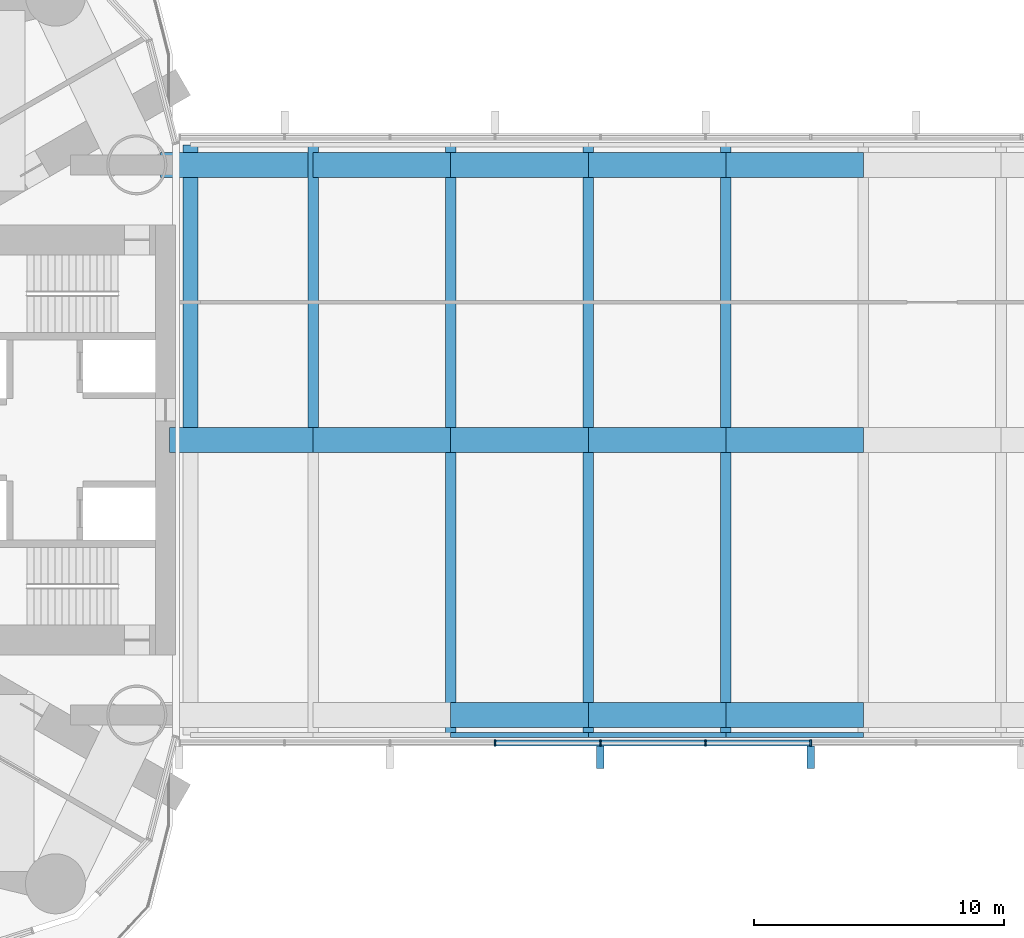
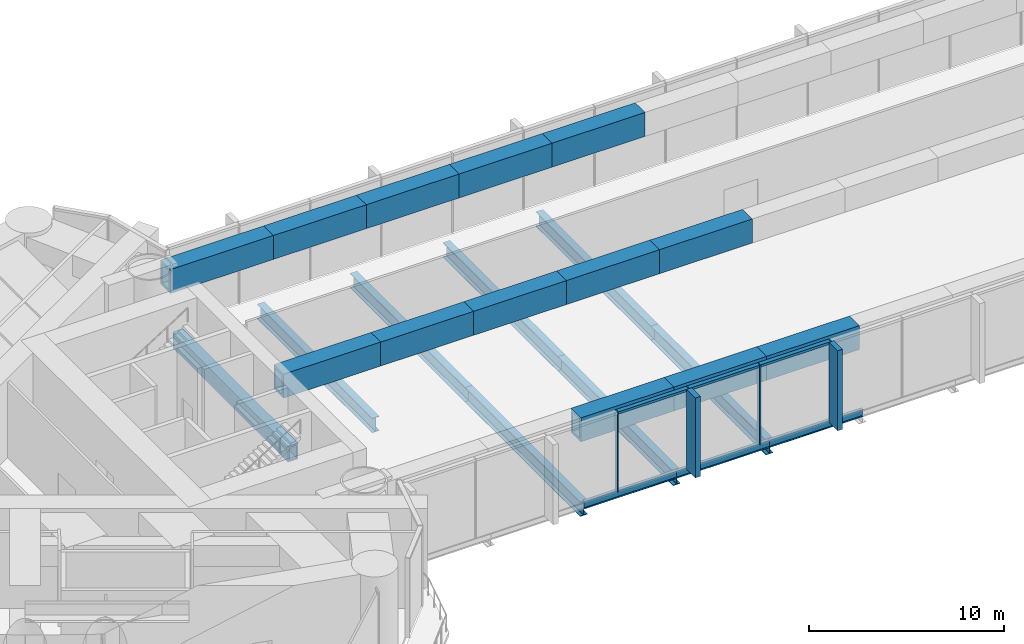
# One storey, part 4 of 22: 22 members, 11 beams, 1 element without a shape of its own.
"""IFC4 building model written with IfcOpenShell, lengths in metres."""

from ifc_helpers import new_model, si_unit, direction, frame, origin, origin_2d, place, context, subcontext, project, spatial, rectangle, hollow_rectangle, i_section, extrude, material, material_profile, profile_set, type_object, element, aggregate, save


model = new_model("IFC4")

# Units and contexts
model_context = context("Model", 3, precision=1e-05, world=origin(), true_north=direction((0.0, 1.0)))
body_context = subcontext(model_context, "Body", "Model", "MODEL_VIEW")
ifc_project = project(units=[si_unit("LENGTHUNIT", "METRE"), si_unit("AREAUNIT", "SQUARE_METRE"), si_unit("VOLUMEUNIT", "CUBIC_METRE"), si_unit("PLANEANGLEUNIT", "RADIAN"), si_unit("MASSUNIT", "GRAM", prefix="KILO")], contexts=[model_context])

# Site, building, storey
site_placement = place(None, origin())
site = spatial("IfcSite", under=ifc_project, at=site_placement, CompositionType="ELEMENT")
building_placement = place(site_placement, origin())
building = spatial("IfcBuilding", under=site, at=building_placement, Name="Lancet Gate Hotel", CompositionType="ELEMENT")
storey_placement = place(building_placement, frame((0.0, 0.0, 210.300048828125)))
storey = spatial("IfcBuildingStorey", under=building, at=storey_placement, Name="L56", CompositionType="ELEMENT", Elevation=210.300048828125)

# Curtain wall, members
ifc_material_1 = material(Name="Aluminium curtain wall", Category="aluminium")
curtain_wall_type = type_object("IfcCurtainWallType", Name="Refuge storey louvred curtain wall", PredefinedType="USERDEFINED", material=ifc_material_1)
curtain_wall_placement = place(storey_placement, origin())
curtain_wall = element("IfcCurtainWall", 1, at=curtain_wall_placement, inside=storey, type_object=curtain_wall_type, Name="Bridge block L56 curtain wall S", ObjectType="LANTERN GLAZING", PredefinedType="USERDEFINED")
ifc_material_2 = material(Name="Aluminium mullion", Category="aluminium")
ifc_material_profile_1 = material_profile(ifc_material_2, rectangle(XDim=0.06494140625, YDim=0.25, at=origin_2d()), Name="MULLION 65x250")
ifc_profile_set_1 = profile_set([ifc_material_profile_1], Name="Aluminium mullion")
member_type_1 = type_object("IfcMemberType", Name="Aluminium mullion 65x250", PredefinedType="MULLION", material=ifc_profile_set_1)
member_1_placement = place(storey_placement, frame((-14.726806640625, -12.1201171875, 0.0), z_axis=(0.0, 0.0, 1.0), x_axis=(1.0, 0.0, 0.0)))
member_1 = element("IfcMember", 2, at=member_1_placement, type_object=member_type_1, Name="Bridge block L56 curtain wall S mullion 4", PredefinedType="MULLION", context=body_context, shape_type="SweptSolid", body=[
    extrude(rectangle(XDim=0.06494140625, YDim=0.25, at=origin_2d()), origin(), (0.0, 0.0, 1.0), 5.0),
])
member_2_placement = place(storey_placement, frame((-10.519287109375, -12.1201171875, 0.0), z_axis=(0.0, 0.0, 1.0), x_axis=(1.0, 0.0, 0.0)))
member_2 = element("IfcMember", 3, at=member_2_placement, type_object=member_type_1, Name="Bridge block L56 curtain wall S mullion 5", PredefinedType="MULLION", context=body_context, shape_type="SweptSolid", body=[
    extrude(rectangle(XDim=0.06494140625, YDim=0.25, at=origin_2d()), origin(), (0.0, 0.0, 1.0), 5.0),
])
member_3_placement = place(storey_placement, frame((-6.3115234375, -12.1201171875, 0.0), z_axis=(0.0, 0.0, 1.0), x_axis=(1.0, 0.0, 0.0)))
member_3 = element("IfcMember", 4, at=member_3_placement, type_object=member_type_1, Name="Bridge block L56 curtain wall S mullion 6", PredefinedType="MULLION", context=body_context, shape_type="SweptSolid", body=[
    extrude(rectangle(XDim=0.06494140625, YDim=0.25, at=origin_2d()), origin(), (0.0, 0.0, 1.0), 5.0),
])
member_4_placement = place(storey_placement, frame((-2.103759765625, -12.1201171875, 0.0), z_axis=(0.0, 0.0, 1.0), x_axis=(1.0, 0.0, 0.0)))
member_4 = element("IfcMember", 5, at=member_4_placement, type_object=member_type_1, Name="Bridge block L56 curtain wall S mullion 7", PredefinedType="MULLION", context=body_context, shape_type="SweptSolid", body=[
    extrude(rectangle(XDim=0.06494140625, YDim=0.25, at=origin_2d()), origin(), (0.0, 0.0, 1.0), 5.0),
])
ifc_material_3 = material(Name="Aluminium transom", Category="aluminium")
ifc_material_profile_2 = material_profile(ifc_material_3, rectangle(XDim=0.25, YDim=0.14990234375, at=origin_2d()), Name="TRANSOM 250x150")
ifc_profile_set_2 = profile_set([ifc_material_profile_2], Name="Aluminium transom")
member_type_2 = type_object("IfcMemberType", Name="Aluminium transom 250x150", PredefinedType="USERDEFINED", material=ifc_profile_set_2)
member_5_placement = place(storey_placement, frame((-14.6943359375, -12.1201171875, 4.925048828125), z_axis=(1.0, 0.0, 0.0), x_axis=(0.0, 1.0, 0.0)))
member_5 = element("IfcMember", 6, at=member_5_placement, type_object=member_type_2, Name="Bridge block L56 curtain wall S transom 4", ObjectType="TRANSOM", PredefinedType="USERDEFINED", context=body_context, shape_type="SweptSolid", body=[
    extrude(rectangle(XDim=0.25, YDim=0.14990234375, at=origin_2d()), origin(), (0.0, 0.0, 1.0), 4.142578125),
])
member_6_placement = place(storey_placement, frame((-10.48681640625, -12.1201171875, 4.925048828125), z_axis=(1.0, 0.0, 0.0), x_axis=(0.0, 1.0, 0.0)))
member_6 = element("IfcMember", 7, at=member_6_placement, type_object=member_type_2, Name="Bridge block L56 curtain wall S transom 5", ObjectType="TRANSOM", PredefinedType="USERDEFINED", context=body_context, shape_type="SweptSolid", body=[
    extrude(rectangle(XDim=0.25, YDim=0.14990234375, at=origin_2d()), origin(), (0.0, 0.0, 1.0), 4.142822265625),
])
member_7_placement = place(storey_placement, frame((-6.279052734375, -12.1201171875, 4.925048828125), z_axis=(1.0, 0.0, 0.0), x_axis=(0.0, 1.0, 0.0)))
member_7 = element("IfcMember", 8, at=member_7_placement, type_object=member_type_2, Name="Bridge block L56 curtain wall S transom 6", ObjectType="TRANSOM", PredefinedType="USERDEFINED", context=body_context, shape_type="SweptSolid", body=[
    extrude(rectangle(XDim=0.25, YDim=0.14990234375, at=origin_2d()), origin(), (0.0, 0.0, 1.0), 4.142822265625),
])

# Beams
ifc_material_4 = material(Name="Steel S355", Category="steel")
ifc_material_profile_3 = material_profile(ifc_material_4, i_section(OverallWidth=0.19140625, OverallDepth=0.4599609375, WebThickness=0.010009765625, FlangeThickness=0.01611328125, FilletRadius=0.01025390625, at=origin_2d()), Name="UKB 457x191x82")
ifc_profile_set_3 = profile_set([ifc_material_profile_3], Name="Steel S355")
beam_type_1 = type_object("IfcBeamType", Name="Block edge beam UKB 457x191x82", PredefinedType="SPANDREL", material=ifc_profile_set_3)
for number, where, z_axis, x_axis, name in (
    (9, (-16.5, -11.800048828125, -0.429931640625), (1.0, 0.0, 0.0), (0.0, 1.0, 0.0), "Block edge beam S 2-3 L56"),
    (10, (-11.0, -11.800048828125, -0.429931640625), (1.0, 0.0, 0.0), (0.0, 1.0, 0.0), "Block edge beam S 3-4 L56"),
    (11, (-5.5, -11.800048828125, -0.429931640625), (1.0, 0.0, 0.0), (0.0, 1.0, 0.0), "Block edge beam S 4-5 L56"),
):
    element("IfcBeam", number, at=place(storey_placement, frame(where, z_axis=z_axis, x_axis=x_axis)), inside=storey, type_object=beam_type_1, Name=name, PredefinedType="SPANDREL", context=body_context, shape_type="SweptSolid", body=[
        extrude(i_section(OverallWidth=0.19140625, OverallDepth=0.4599609375, WebThickness=0.010009765625, FlangeThickness=0.01611328125, FilletRadius=0.01025390625, at=origin_2d()), origin(), (0.0, 0.0, 1.0), 5.5),
    ])
ifc_material_5 = material(Name="Steel S460QL", Category="steel")
ifc_material_profile_4 = material_profile(ifc_material_5, hollow_rectangle(XDim=0.60009765625, YDim=1.0, WallThickness=0.10009765625, at=origin_2d()), Name="BOX 1000x600x100")
ifc_profile_set_4 = profile_set([ifc_material_profile_4], Name="Steel S460QL")
beam_type_2 = type_object("IfcBeamType", Name="Block end beam BOX 1000x600x100", PredefinedType="BEAM", material=ifc_profile_set_4)
beam_placement = place(storey_placement, frame((-26.89990234375, 0.0, -0.699951171875), z_axis=(0.0, 1.0, 0.0), x_axis=(-1.0, 0.0, 0.0)))
element("IfcBeam", 12, at=beam_placement, inside=storey, type_object=beam_type_2, Name="Block beam x0 N L56", PredefinedType="BEAM", context=body_context, shape_type="SweptSolid", body=[
    extrude(hollow_rectangle(XDim=0.60009765625, YDim=1.0, WallThickness=0.10009765625, at=origin_2d()), origin(), (0.0, 0.0, 1.0), 11.800048828125),
])
ifc_material_6 = material(Name="Steel S355", Category="steel")
ifc_material_profile_5 = material_profile(ifc_material_6, i_section(OverallWidth=0.42041015625, OverallDepth=0.9208984375, WebThickness=0.021484375, FlangeThickness=0.03662109375, FilletRadius=0.024169921875, at=origin_2d()), Name="UKB 914x419x388")
ifc_profile_set_5 = profile_set([ifc_material_profile_5], Name="Steel S355")
beam_type_3 = type_object("IfcBeamType", Name="Block plant floor beam UKB 914x419x388", PredefinedType="JOIST", material=ifc_profile_set_5)
for number, where, z_axis, x_axis, name in (
    (13, (-22.0, 0.0, -0.66064453125), (0.0, 1.0, 0.0), (-1.0, 0.0, 0.0), "Block beam x1 N L56"),
    (14, (-16.5, -11.800048828125, -0.66064453125), (0.0, 1.0, 0.0), (-1.0, 0.0, 0.0), "Block beam x2 S L56"),
    (15, (-16.5, 0.0, -0.66064453125), (0.0, 1.0, 0.0), (-1.0, 0.0, 0.0), "Block beam x2 N L56"),
    (16, (-11.0, -11.800048828125, -0.66064453125), (0.0, 1.0, 0.0), (-1.0, 0.0, 0.0), "Block beam x3 S L56"),
    (17, (-11.0, 0.0, -0.66064453125), (0.0, 1.0, 0.0), (-1.0, 0.0, 0.0), "Block beam x3 N L56"),
    (18, (-5.5, -11.800048828125, -0.66064453125), (0.0, 1.0, 0.0), (-1.0, 0.0, 0.0), "Block beam x4 S L56"),
    (19, (-5.5, 0.0, -0.66064453125), (0.0, 1.0, 0.0), (-1.0, 0.0, 0.0), "Block beam x4 N L56"),
):
    element("IfcBeam", number, at=place(storey_placement, frame(where, z_axis=z_axis, x_axis=x_axis)), inside=storey, type_object=beam_type_3, Name=name, PredefinedType="JOIST", context=body_context, shape_type="SweptSolid", body=[
        extrude(i_section(OverallWidth=0.42041015625, OverallDepth=0.9208984375, WebThickness=0.021484375, FlangeThickness=0.03662109375, FilletRadius=0.024169921875, at=origin_2d()), origin(), (0.0, 0.0, 1.0), 11.800048828125),
    ])

# Member
ifc_material_7 = material(Name="Precast concrete C50/60", Category="concrete")
ifc_material_profile_6 = material_profile(ifc_material_7, rectangle(XDim=0.300048828125, YDim=0.89990234375, at=origin_2d()), Name="FIN 300x900")
ifc_profile_set_6 = profile_set([ifc_material_profile_6], Name="Precast concrete C50/60")
member_type_3 = type_object("IfcMemberType", Name="Exposed concrete fin 300x900", PredefinedType="USERDEFINED", material=ifc_profile_set_6)
member_8_placement = place(storey_placement, frame((-10.519287109375, -12.695068359375, 0.0), z_axis=(0.0, 0.0, 1.0), x_axis=(1.0, 0.0, 0.0)))
member_8 = element("IfcMember", 20, at=member_8_placement, type_object=member_type_3, Name="Bridge block L56 curtain wall S fin 5", ObjectType="FIN", PredefinedType="USERDEFINED", context=body_context, shape_type="SweptSolid", body=[
    extrude(rectangle(XDim=0.300048828125, YDim=0.89990234375, at=origin_2d()), origin(), (0.0, 0.0, 1.0), 5.0),
])

member_9_placement = place(storey_placement, frame((-2.103759765625, -12.695068359375, 0.0), z_axis=(0.0, 0.0, 1.0), x_axis=(1.0, 0.0, 0.0)))
member_9 = element("IfcMember", 21, at=member_9_placement, type_object=member_type_3, Name="Bridge block L56 curtain wall S fin 7", ObjectType="FIN", PredefinedType="USERDEFINED", context=body_context, shape_type="SweptSolid", body=[
    extrude(rectangle(XDim=0.300048828125, YDim=0.89990234375, at=origin_2d()), origin(), (0.0, 0.0, 1.0), 5.0),
])

aggregate(curtain_wall, [member_1, member_2, member_8, member_3, member_4, member_9, member_5, member_6, member_7])

# Members
ifc_material_8 = material(Name="Steel S460QL", Category="steel")
ifc_material_profile_7 = material_profile(ifc_material_8, hollow_rectangle(XDim=1.0, YDim=1.5, WallThickness=0.14990234375, at=origin_2d()), Name="BOX 1500x1000x150")
ifc_profile_set_7 = profile_set([ifc_material_profile_7], Name="Steel S460QL")
member_type_4 = type_object("IfcMemberType", Name="Truss chord BOX 1500x1000x150", PredefinedType="CHORD", material=ifc_profile_set_7)
for number, where, z_axis, x_axis, name in (
    (22, (-16.5, -11.0, 4.050048828125), (1.0, 0.0, 0.0), (0.0, 1.0, 0.0), "Truss S top chord panel 3"),
    (23, (-11.0, -11.0, 4.050048828125), (1.0, 0.0, 0.0), (0.0, 1.0, 0.0), "Truss S top chord panel 4"),
    (24, (-5.5, -11.0, 4.050048828125), (1.0, 0.0, 0.0), (0.0, 1.0, 0.0), "Truss S top chord panel 5"),
):
    element("IfcMember", number, at=place(storey_placement, frame(where, z_axis=z_axis, x_axis=x_axis)), inside=storey, type_object=member_type_4, Name=name, PredefinedType="CHORD", context=body_context, shape_type="SweptSolid", body=[
        extrude(hollow_rectangle(XDim=1.0, YDim=1.5, WallThickness=0.14990234375, at=origin_2d()), origin(), (0.0, 0.0, 1.0), 5.5),
    ])
member_10_placement = place(storey_placement, frame((-27.75, 0.0, 4.050048828125), z_axis=(1.0, 0.0, 0.0), x_axis=(0.0, 1.0, 0.0)))
element("IfcMember", 25, at=member_10_placement, inside=storey, type_object=member_type_4, Name="Truss M top chord panel 1", PredefinedType="CHORD", context=body_context, shape_type="SweptSolid", body=[
    extrude(hollow_rectangle(XDim=1.0, YDim=1.5, WallThickness=0.14990234375, at=origin_2d()), origin(), (0.0, 0.0, 1.0), 5.75),
])
for number, where, z_axis, x_axis, name in (
    (26, (-22.0, 0.0, 4.050048828125), (1.0, 0.0, 0.0), (0.0, 1.0, 0.0), "Truss M top chord panel 2"),
    (27, (-16.5, 0.0, 4.050048828125), (1.0, 0.0, 0.0), (0.0, 1.0, 0.0), "Truss M top chord panel 3"),
    (28, (-11.0, 0.0, 4.050048828125), (1.0, 0.0, 0.0), (0.0, 1.0, 0.0), "Truss M top chord panel 4"),
    (29, (-5.5, 0.0, 4.050048828125), (1.0, 0.0, 0.0), (0.0, 1.0, 0.0), "Truss M top chord panel 5"),
):
    element("IfcMember", number, at=place(storey_placement, frame(where, z_axis=z_axis, x_axis=x_axis)), inside=storey, type_object=member_type_4, Name=name, PredefinedType="CHORD", context=body_context, shape_type="SweptSolid", body=[
        extrude(hollow_rectangle(XDim=1.0, YDim=1.5, WallThickness=0.14990234375, at=origin_2d()), origin(), (0.0, 0.0, 1.0), 5.5),
    ])
member_11_placement = place(storey_placement, frame((-28.10009765625, 11.0, 4.050048828125), z_axis=(1.0, 0.0, 0.0), x_axis=(0.0, 1.0, 0.0)))
element("IfcMember", 30, at=member_11_placement, inside=storey, type_object=member_type_4, Name="Truss N top chord panel 1", PredefinedType="CHORD", context=body_context, shape_type="SweptSolid", body=[
    extrude(hollow_rectangle(XDim=1.0, YDim=1.5, WallThickness=0.14990234375, at=origin_2d()), origin(), (0.0, 0.0, 1.0), 6.10009765625),
])
for number, where, z_axis, x_axis, name in (
    (31, (-22.0, 11.0, 4.050048828125), (1.0, 0.0, 0.0), (0.0, 1.0, 0.0), "Truss N top chord panel 2"),
    (32, (-16.5, 11.0, 4.050048828125), (1.0, 0.0, 0.0), (0.0, 1.0, 0.0), "Truss N top chord panel 3"),
    (33, (-11.0, 11.0, 4.050048828125), (1.0, 0.0, 0.0), (0.0, 1.0, 0.0), "Truss N top chord panel 4"),
    (34, (-5.5, 11.0, 4.050048828125), (1.0, 0.0, 0.0), (0.0, 1.0, 0.0), "Truss N top chord panel 5"),
):
    element("IfcMember", number, at=place(storey_placement, frame(where, z_axis=z_axis, x_axis=x_axis)), inside=storey, type_object=member_type_4, Name=name, PredefinedType="CHORD", context=body_context, shape_type="SweptSolid", body=[
        extrude(hollow_rectangle(XDim=1.0, YDim=1.5, WallThickness=0.14990234375, at=origin_2d()), origin(), (0.0, 0.0, 1.0), 5.5),
    ])

save(model, "model.ifc")
